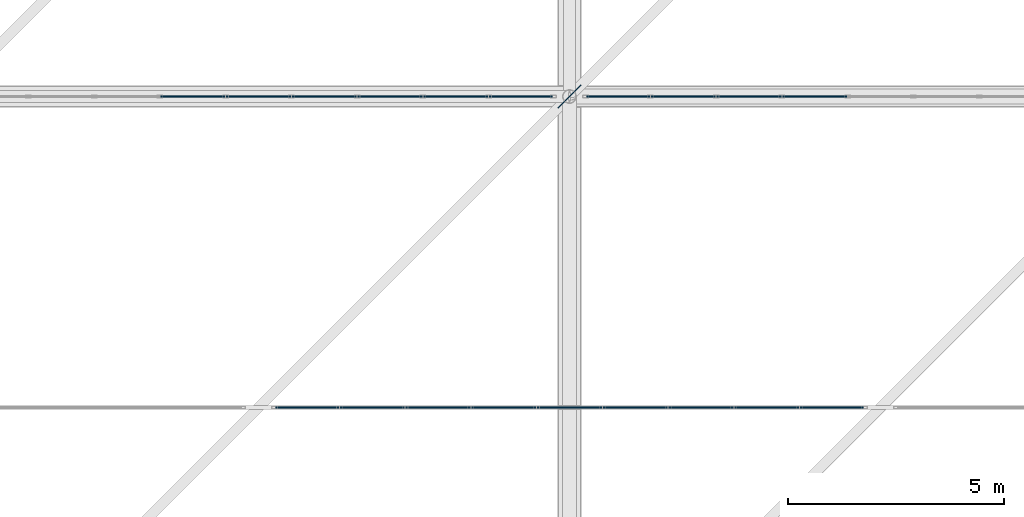
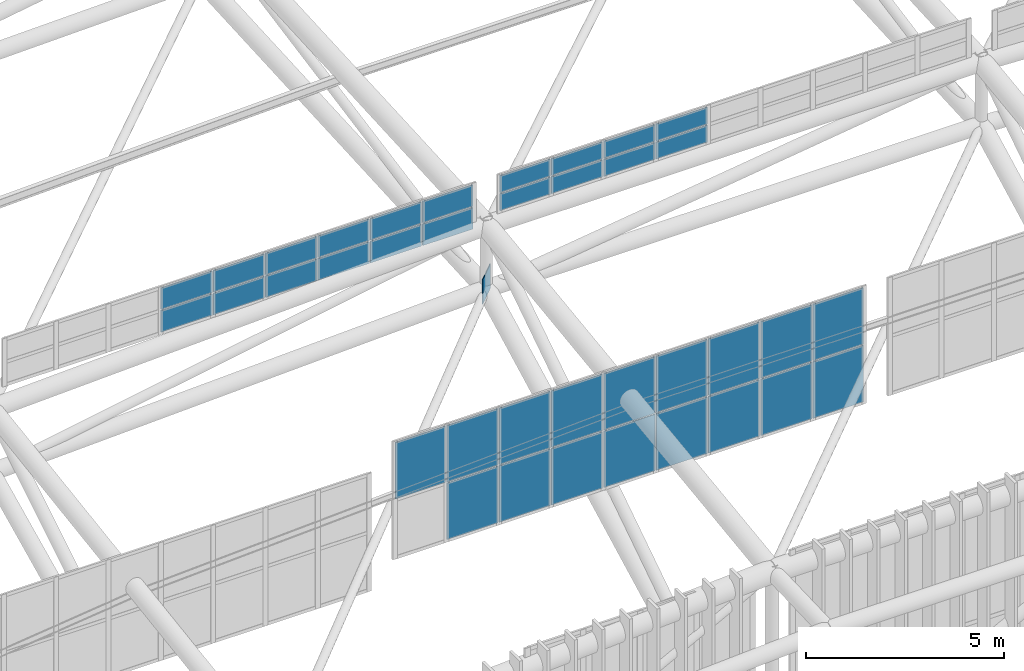
# One storey, part 361 of 397: 38 plates, 3 elements without a shape of their own.
"""IFC4 building model written with IfcOpenShell, lengths in metres."""

from ifc_helpers import new_model, si_unit, direction, frame, origin, origin_2d, place, context, subcontext, project, spatial, rectangle, extrude, material, layer, layer_set, type_object, element, aggregate, save


model = new_model("IFC4")

# Units and contexts
model_context = context("Model", 3, precision=1e-05, world=origin(), true_north=direction((0.0, 1.0)))
body_context = subcontext(model_context, "Body", "Model", "MODEL_VIEW")
ifc_project = project(units=[si_unit("LENGTHUNIT", "METRE"), si_unit("AREAUNIT", "SQUARE_METRE"), si_unit("VOLUMEUNIT", "CUBIC_METRE"), si_unit("PLANEANGLEUNIT", "RADIAN"), si_unit("MASSUNIT", "GRAM", prefix="KILO")], contexts=[model_context])

# Site, building, storey
site_placement = place(None, origin())
site = spatial("IfcSite", under=ifc_project, at=site_placement, CompositionType="ELEMENT")
building_placement = place(site_placement, origin())
building = spatial("IfcBuilding", under=site, at=building_placement, Name="Qandorah Velis Arena", CompositionType="ELEMENT")
storey_placement = place(building_placement, frame((0.0, 0.0, 27.5)))
storey = spatial("IfcBuildingStorey", under=building, at=storey_placement, Name="RF", CompositionType="ELEMENT", Elevation=27.5)

# Curtain wall, plates
ifc_material_1 = material(Name="Solar-control low-E double glazing", Category="glass")
curtain_wall_type_1 = type_object("IfcCurtainWallType", Name="ARC-CW-SYS21", PredefinedType="USERDEFINED", material=ifc_material_1)
curtain_wall_1_placement = place(storey_placement, origin())
curtain_wall_1 = element("IfcCurtainWall", 1, at=curtain_wall_1_placement, inside=storey, type_object=curtain_wall_type_1, Name="Unitised curtain wall MON-3-3", ObjectType="UNITISED CURTAIN WALL", PredefinedType="USERDEFINED")
ifc_layer_1 = layer(ifc_material_1, 0.030029296875)
ifc_layer_set_1 = layer_set([ifc_layer_1], Name="Solar-control low-E double glazing")
plate_type_1 = type_object("IfcPlateType", Name="ARC-CWP-GLZ30", PredefinedType="CURTAIN_PANEL", material=ifc_layer_set_1)
plate_1_placement = place(storey_placement, frame((51.52490234375, 21.60009765625, 7.89697265625), z_axis=(0.0, 0.0, 1.0), x_axis=(1.0, 0.0, 0.0)))
plate_1 = element("IfcPlate", 2, at=plate_1_placement, type_object=plate_type_1, Name="CW21 panel 1.2", PredefinedType="CURTAIN_PANEL", context=body_context, shape_type="SweptSolid", body=[
    extrude(rectangle(XDim=1.459716796875, YDim=0.030029296875, at=origin_2d()), origin(), (0.0, 0.0, 1.0), 1.737548828125),
])
plate_2_placement = place(storey_placement, frame((53.033447265625, 21.60009765625, 6.12451171875), z_axis=(0.0, 0.0, 1.0), x_axis=(1.0, 0.0, 0.0)))
plate_2 = element("IfcPlate", 3, at=plate_2_placement, type_object=plate_type_1, Name="CW21 panel 2.1", PredefinedType="CURTAIN_PANEL", context=body_context, shape_type="SweptSolid", body=[
    extrude(rectangle(XDim=1.4873046875, YDim=0.030029296875, at=origin_2d()), origin(), (0.0, 0.0, 1.0), 1.737548828125),
])
plate_3_placement = place(storey_placement, frame((53.033447265625, 21.60009765625, 7.89697265625), z_axis=(0.0, 0.0, 1.0), x_axis=(1.0, 0.0, 0.0)))
plate_3 = element("IfcPlate", 4, at=plate_3_placement, type_object=plate_type_1, Name="CW21 panel 2.2", PredefinedType="CURTAIN_PANEL", context=body_context, shape_type="SweptSolid", body=[
    extrude(rectangle(XDim=1.4873046875, YDim=0.030029296875, at=origin_2d()), origin(), (0.0, 0.0, 1.0), 1.737548828125),
])
plate_4_placement = place(storey_placement, frame((54.5556640625, 21.60009765625, 6.12451171875), z_axis=(0.0, 0.0, 1.0), x_axis=(1.0, 0.0, 0.0)))
plate_4 = element("IfcPlate", 5, at=plate_4_placement, type_object=plate_type_1, Name="CW21 panel 3.1", PredefinedType="CURTAIN_PANEL", context=body_context, shape_type="SweptSolid", body=[
    extrude(rectangle(XDim=1.4873046875, YDim=0.030029296875, at=origin_2d()), origin(), (0.0, 0.0, 1.0), 1.737548828125),
])
plate_5_placement = place(storey_placement, frame((54.5556640625, 21.60009765625, 7.89697265625), z_axis=(0.0, 0.0, 1.0), x_axis=(1.0, 0.0, 0.0)))
plate_5 = element("IfcPlate", 6, at=plate_5_placement, type_object=plate_type_1, Name="CW21 panel 3.2", PredefinedType="CURTAIN_PANEL", context=body_context, shape_type="SweptSolid", body=[
    extrude(rectangle(XDim=1.4873046875, YDim=0.030029296875, at=origin_2d()), origin(), (0.0, 0.0, 1.0), 1.737548828125),
])
plate_6_placement = place(storey_placement, frame((56.077880859375, 21.60009765625, 6.12451171875), z_axis=(0.0, 0.0, 1.0), x_axis=(1.0, 0.0, 0.0)))
plate_6 = element("IfcPlate", 7, at=plate_6_placement, type_object=plate_type_1, Name="CW21 panel 4.1", PredefinedType="CURTAIN_PANEL", context=body_context, shape_type="SweptSolid", body=[
    extrude(rectangle(XDim=1.4873046875, YDim=0.030029296875, at=origin_2d()), origin(), (0.0, 0.0, 1.0), 1.737548828125),
])
plate_7_placement = place(storey_placement, frame((56.077880859375, 21.60009765625, 7.89697265625), z_axis=(0.0, 0.0, 1.0), x_axis=(1.0, 0.0, 0.0)))
plate_7 = element("IfcPlate", 8, at=plate_7_placement, type_object=plate_type_1, Name="CW21 panel 4.2", PredefinedType="CURTAIN_PANEL", context=body_context, shape_type="SweptSolid", body=[
    extrude(rectangle(XDim=1.4873046875, YDim=0.030029296875, at=origin_2d()), origin(), (0.0, 0.0, 1.0), 1.737548828125),
])
plate_8_placement = place(storey_placement, frame((57.60009765625, 21.60009765625, 6.12451171875), z_axis=(0.0, 0.0, 1.0), x_axis=(1.0, 0.0, 0.0)))
plate_8 = element("IfcPlate", 9, at=plate_8_placement, type_object=plate_type_1, Name="CW21 panel 5.1", PredefinedType="CURTAIN_PANEL", context=body_context, shape_type="SweptSolid", body=[
    extrude(rectangle(XDim=1.4873046875, YDim=0.030029296875, at=origin_2d()), origin(), (0.0, 0.0, 1.0), 1.737548828125),
])
plate_9_placement = place(storey_placement, frame((57.60009765625, 21.60009765625, 7.89697265625), z_axis=(0.0, 0.0, 1.0), x_axis=(1.0, 0.0, 0.0)))
plate_9 = element("IfcPlate", 10, at=plate_9_placement, type_object=plate_type_1, Name="CW21 panel 5.2", PredefinedType="CURTAIN_PANEL", context=body_context, shape_type="SweptSolid", body=[
    extrude(rectangle(XDim=1.4873046875, YDim=0.030029296875, at=origin_2d()), origin(), (0.0, 0.0, 1.0), 1.737548828125),
])
plate_10_placement = place(storey_placement, frame((59.122314453125, 21.60009765625, 6.12451171875), z_axis=(0.0, 0.0, 1.0), x_axis=(1.0, 0.0, 0.0)))
plate_10 = element("IfcPlate", 11, at=plate_10_placement, type_object=plate_type_1, Name="CW21 panel 6.1", PredefinedType="CURTAIN_PANEL", context=body_context, shape_type="SweptSolid", body=[
    extrude(rectangle(XDim=1.4873046875, YDim=0.030029296875, at=origin_2d()), origin(), (0.0, 0.0, 1.0), 1.737548828125),
])
plate_11_placement = place(storey_placement, frame((59.122314453125, 21.60009765625, 7.89697265625), z_axis=(0.0, 0.0, 1.0), x_axis=(1.0, 0.0, 0.0)))
plate_11 = element("IfcPlate", 12, at=plate_11_placement, type_object=plate_type_1, Name="CW21 panel 6.2", PredefinedType="CURTAIN_PANEL", context=body_context, shape_type="SweptSolid", body=[
    extrude(rectangle(XDim=1.4873046875, YDim=0.030029296875, at=origin_2d()), origin(), (0.0, 0.0, 1.0), 1.737548828125),
])
plate_12_placement = place(storey_placement, frame((60.64453125, 21.60009765625, 6.12451171875), z_axis=(0.0, 0.0, 1.0), x_axis=(1.0, 0.0, 0.0)))
plate_12 = element("IfcPlate", 13, at=plate_12_placement, type_object=plate_type_1, Name="CW21 panel 7.1", PredefinedType="CURTAIN_PANEL", context=body_context, shape_type="SweptSolid", body=[
    extrude(rectangle(XDim=1.4873046875, YDim=0.030029296875, at=origin_2d()), origin(), (0.0, 0.0, 1.0), 1.737548828125),
])
plate_13_placement = place(storey_placement, frame((60.64453125, 21.60009765625, 7.89697265625), z_axis=(0.0, 0.0, 1.0), x_axis=(1.0, 0.0, 0.0)))
plate_13 = element("IfcPlate", 14, at=plate_13_placement, type_object=plate_type_1, Name="CW21 panel 7.2", PredefinedType="CURTAIN_PANEL", context=body_context, shape_type="SweptSolid", body=[
    extrude(rectangle(XDim=1.4873046875, YDim=0.030029296875, at=origin_2d()), origin(), (0.0, 0.0, 1.0), 1.737548828125),
])
plate_14_placement = place(storey_placement, frame((62.166748046875, 21.60009765625, 6.12451171875), z_axis=(0.0, 0.0, 1.0), x_axis=(1.0, 0.0, 0.0)))
plate_14 = element("IfcPlate", 15, at=plate_14_placement, type_object=plate_type_1, Name="CW21 panel 8.1", PredefinedType="CURTAIN_PANEL", context=body_context, shape_type="SweptSolid", body=[
    extrude(rectangle(XDim=1.4873046875, YDim=0.030029296875, at=origin_2d()), origin(), (0.0, 0.0, 1.0), 1.737548828125),
])
plate_15_placement = place(storey_placement, frame((62.166748046875, 21.60009765625, 7.89697265625), z_axis=(0.0, 0.0, 1.0), x_axis=(1.0, 0.0, 0.0)))
plate_15 = element("IfcPlate", 16, at=plate_15_placement, type_object=plate_type_1, Name="CW21 panel 8.2", PredefinedType="CURTAIN_PANEL", context=body_context, shape_type="SweptSolid", body=[
    extrude(rectangle(XDim=1.4873046875, YDim=0.030029296875, at=origin_2d()), origin(), (0.0, 0.0, 1.0), 1.737548828125),
])
plate_16_placement = place(storey_placement, frame((63.675048828125, 21.60009765625, 6.12451171875), z_axis=(0.0, 0.0, 1.0), x_axis=(1.0, 0.0, 0.0)))
plate_16 = element("IfcPlate", 17, at=plate_16_placement, type_object=plate_type_1, Name="CW21 panel 9.1", PredefinedType="CURTAIN_PANEL", context=body_context, shape_type="SweptSolid", body=[
    extrude(rectangle(XDim=1.459716796875, YDim=0.030029296875, at=origin_2d()), origin(), (0.0, 0.0, 1.0), 1.737548828125),
])
plate_17_placement = place(storey_placement, frame((63.675048828125, 21.60009765625, 7.89697265625), z_axis=(0.0, 0.0, 1.0), x_axis=(1.0, 0.0, 0.0)))
plate_17 = element("IfcPlate", 18, at=plate_17_placement, type_object=plate_type_1, Name="CW21 panel 9.2", PredefinedType="CURTAIN_PANEL", context=body_context, shape_type="SweptSolid", body=[
    extrude(rectangle(XDim=1.459716796875, YDim=0.030029296875, at=origin_2d()), origin(), (0.0, 0.0, 1.0), 1.737548828125),
])
aggregate(curtain_wall_1, [plate_1, plate_2, plate_3, plate_4, plate_5, plate_6, plate_7, plate_8, plate_9, plate_10, plate_11, plate_12, plate_13, plate_14, plate_15, plate_16, plate_17])

curtain_wall_type_2 = type_object("IfcCurtainWallType", Name="ARC-CW-SYS17", PredefinedType="USERDEFINED", material=ifc_material_1)
curtain_wall_2_placement = place(storey_placement, origin())
curtain_wall_2 = element("IfcCurtainWall", 19, at=curtain_wall_2_placement, inside=storey, type_object=curtain_wall_type_2, Name="Unitised curtain wall OCULUS-3-2", ObjectType="UNITISED CURTAIN WALL", PredefinedType="USERDEFINED")
plate_18_placement = place(storey_placement, frame((48.877685546875, 28.800048828125, 9.593994140625), z_axis=(0.0, 0.0, 1.0), x_axis=(1.0, 0.0, 0.0)))
plate_18 = element("IfcPlate", 20, at=plate_18_placement, type_object=plate_type_1, Name="CW17 panel 4.1", PredefinedType="CURTAIN_PANEL", context=body_context, shape_type="SweptSolid", body=[
    extrude(rectangle(XDim=1.4873046875, YDim=0.030029296875, at=origin_2d()), origin(), (0.0, 0.0, 1.0), 0.6630859375),
])
plate_19_placement = place(storey_placement, frame((48.877685546875, 28.800048828125, 10.2919921875), z_axis=(0.0, 0.0, 1.0), x_axis=(1.0, 0.0, 0.0)))
plate_19 = element("IfcPlate", 21, at=plate_19_placement, type_object=plate_type_1, Name="CW17 panel 4.2", PredefinedType="CURTAIN_PANEL", context=body_context, shape_type="SweptSolid", body=[
    extrude(rectangle(XDim=1.4873046875, YDim=0.030029296875, at=origin_2d()), origin(), (0.0, 0.0, 1.0), 0.662841796875),
])
plate_20_placement = place(storey_placement, frame((50.39990234375, 28.800048828125, 9.593994140625), z_axis=(0.0, 0.0, 1.0), x_axis=(1.0, 0.0, 0.0)))
plate_20 = element("IfcPlate", 22, at=plate_20_placement, type_object=plate_type_1, Name="CW17 panel 5.1", PredefinedType="CURTAIN_PANEL", context=body_context, shape_type="SweptSolid", body=[
    extrude(rectangle(XDim=1.4873046875, YDim=0.030029296875, at=origin_2d()), origin(), (0.0, 0.0, 1.0), 0.6630859375),
])
plate_21_placement = place(storey_placement, frame((50.39990234375, 28.800048828125, 10.2919921875), z_axis=(0.0, 0.0, 1.0), x_axis=(1.0, 0.0, 0.0)))
plate_21 = element("IfcPlate", 23, at=plate_21_placement, type_object=plate_type_1, Name="CW17 panel 5.2", PredefinedType="CURTAIN_PANEL", context=body_context, shape_type="SweptSolid", body=[
    extrude(rectangle(XDim=1.4873046875, YDim=0.030029296875, at=origin_2d()), origin(), (0.0, 0.0, 1.0), 0.662841796875),
])
plate_22_placement = place(storey_placement, frame((51.922119140625, 28.800048828125, 9.593994140625), z_axis=(0.0, 0.0, 1.0), x_axis=(1.0, 0.0, 0.0)))
plate_22 = element("IfcPlate", 24, at=plate_22_placement, type_object=plate_type_1, Name="CW17 panel 6.1", PredefinedType="CURTAIN_PANEL", context=body_context, shape_type="SweptSolid", body=[
    extrude(rectangle(XDim=1.4873046875, YDim=0.030029296875, at=origin_2d()), origin(), (0.0, 0.0, 1.0), 0.6630859375),
])
plate_23_placement = place(storey_placement, frame((51.922119140625, 28.800048828125, 10.2919921875), z_axis=(0.0, 0.0, 1.0), x_axis=(1.0, 0.0, 0.0)))
plate_23 = element("IfcPlate", 25, at=plate_23_placement, type_object=plate_type_1, Name="CW17 panel 6.2", PredefinedType="CURTAIN_PANEL", context=body_context, shape_type="SweptSolid", body=[
    extrude(rectangle(XDim=1.4873046875, YDim=0.030029296875, at=origin_2d()), origin(), (0.0, 0.0, 1.0), 0.662841796875),
])
plate_24_placement = place(storey_placement, frame((53.4443359375, 28.800048828125, 9.593994140625), z_axis=(0.0, 0.0, 1.0), x_axis=(1.0, 0.0, 0.0)))
plate_24 = element("IfcPlate", 26, at=plate_24_placement, type_object=plate_type_1, Name="CW17 panel 7.1", PredefinedType="CURTAIN_PANEL", context=body_context, shape_type="SweptSolid", body=[
    extrude(rectangle(XDim=1.4873046875, YDim=0.030029296875, at=origin_2d()), origin(), (0.0, 0.0, 1.0), 0.6630859375),
])
plate_25_placement = place(storey_placement, frame((53.4443359375, 28.800048828125, 10.2919921875), z_axis=(0.0, 0.0, 1.0), x_axis=(1.0, 0.0, 0.0)))
plate_25 = element("IfcPlate", 27, at=plate_25_placement, type_object=plate_type_1, Name="CW17 panel 7.2", PredefinedType="CURTAIN_PANEL", context=body_context, shape_type="SweptSolid", body=[
    extrude(rectangle(XDim=1.4873046875, YDim=0.030029296875, at=origin_2d()), origin(), (0.0, 0.0, 1.0), 0.662841796875),
])
plate_26_placement = place(storey_placement, frame((54.966552734375, 28.800048828125, 9.593994140625), z_axis=(0.0, 0.0, 1.0), x_axis=(1.0, 0.0, 0.0)))
plate_26 = element("IfcPlate", 28, at=plate_26_placement, type_object=plate_type_1, Name="CW17 panel 8.1", PredefinedType="CURTAIN_PANEL", context=body_context, shape_type="SweptSolid", body=[
    extrude(rectangle(XDim=1.4873046875, YDim=0.030029296875, at=origin_2d()), origin(), (0.0, 0.0, 1.0), 0.6630859375),
])
plate_27_placement = place(storey_placement, frame((54.966552734375, 28.800048828125, 10.2919921875), z_axis=(0.0, 0.0, 1.0), x_axis=(1.0, 0.0, 0.0)))
plate_27 = element("IfcPlate", 29, at=plate_27_placement, type_object=plate_type_1, Name="CW17 panel 8.2", PredefinedType="CURTAIN_PANEL", context=body_context, shape_type="SweptSolid", body=[
    extrude(rectangle(XDim=1.4873046875, YDim=0.030029296875, at=origin_2d()), origin(), (0.0, 0.0, 1.0), 0.662841796875),
])
plate_28_placement = place(storey_placement, frame((56.47509765625, 28.800048828125, 9.593994140625), z_axis=(0.0, 0.0, 1.0), x_axis=(1.0, 0.0, 0.0)))
plate_28 = element("IfcPlate", 30, at=plate_28_placement, type_object=plate_type_1, Name="CW17 panel 9.1", PredefinedType="CURTAIN_PANEL", context=body_context, shape_type="SweptSolid", body=[
    extrude(rectangle(XDim=1.459716796875, YDim=0.030029296875, at=origin_2d()), origin(), (0.0, 0.0, 1.0), 0.6630859375),
])
plate_29_placement = place(storey_placement, frame((56.47509765625, 28.800048828125, 10.2919921875), z_axis=(0.0, 0.0, 1.0), x_axis=(1.0, 0.0, 0.0)))
plate_29 = element("IfcPlate", 31, at=plate_29_placement, type_object=plate_type_1, Name="CW17 panel 9.2", PredefinedType="CURTAIN_PANEL", context=body_context, shape_type="SweptSolid", body=[
    extrude(rectangle(XDim=1.459716796875, YDim=0.030029296875, at=origin_2d()), origin(), (0.0, 0.0, 1.0), 0.662841796875),
])
aggregate(curtain_wall_2, [plate_18, plate_19, plate_20, plate_21, plate_22, plate_23, plate_24, plate_25, plate_26, plate_27, plate_28, plate_29])

curtain_wall_type_3 = type_object("IfcCurtainWallType", Name="ARC-CW-SYS18", PredefinedType="USERDEFINED", material=ifc_material_1)
curtain_wall_3_placement = place(storey_placement, origin())
curtain_wall_3 = element("IfcCurtainWall", 32, at=curtain_wall_3_placement, inside=storey, type_object=curtain_wall_type_3, Name="Unitised curtain wall OCULUS-3-3", ObjectType="UNITISED CURTAIN WALL", PredefinedType="USERDEFINED")
plate_30_placement = place(storey_placement, frame((58.724853515625, 28.800048828125, 9.87646484375), z_axis=(0.0, 0.0, 1.0), x_axis=(1.0, 0.0, 0.0)))
plate_30 = element("IfcPlate", 33, at=plate_30_placement, type_object=plate_type_1, Name="CW18 panel 1.1", PredefinedType="CURTAIN_PANEL", context=body_context, shape_type="SweptSolid", body=[
    extrude(rectangle(XDim=1.459716796875, YDim=0.030029296875, at=origin_2d()), origin(), (0.0, 0.0, 1.0), 0.521728515625),
])
plate_31_placement = place(storey_placement, frame((58.724853515625, 28.800048828125, 10.43310546875), z_axis=(0.0, 0.0, 1.0), x_axis=(1.0, 0.0, 0.0)))
plate_31 = element("IfcPlate", 34, at=plate_31_placement, type_object=plate_type_1, Name="CW18 panel 1.2", PredefinedType="CURTAIN_PANEL", context=body_context, shape_type="SweptSolid", body=[
    extrude(rectangle(XDim=1.459716796875, YDim=0.030029296875, at=origin_2d()), origin(), (0.0, 0.0, 1.0), 0.521728515625),
])
plate_32_placement = place(storey_placement, frame((60.2333984375, 28.800048828125, 9.87646484375), z_axis=(0.0, 0.0, 1.0), x_axis=(1.0, 0.0, 0.0)))
plate_32 = element("IfcPlate", 35, at=plate_32_placement, type_object=plate_type_1, Name="CW18 panel 2.1", PredefinedType="CURTAIN_PANEL", context=body_context, shape_type="SweptSolid", body=[
    extrude(rectangle(XDim=1.4873046875, YDim=0.030029296875, at=origin_2d()), origin(), (0.0, 0.0, 1.0), 0.521728515625),
])
plate_33_placement = place(storey_placement, frame((60.2333984375, 28.800048828125, 10.43310546875), z_axis=(0.0, 0.0, 1.0), x_axis=(1.0, 0.0, 0.0)))
plate_33 = element("IfcPlate", 36, at=plate_33_placement, type_object=plate_type_1, Name="CW18 panel 2.2", PredefinedType="CURTAIN_PANEL", context=body_context, shape_type="SweptSolid", body=[
    extrude(rectangle(XDim=1.4873046875, YDim=0.030029296875, at=origin_2d()), origin(), (0.0, 0.0, 1.0), 0.521728515625),
])
plate_34_placement = place(storey_placement, frame((61.755615234375, 28.800048828125, 9.87646484375), z_axis=(0.0, 0.0, 1.0), x_axis=(1.0, 0.0, 0.0)))
plate_34 = element("IfcPlate", 37, at=plate_34_placement, type_object=plate_type_1, Name="CW18 panel 3.1", PredefinedType="CURTAIN_PANEL", context=body_context, shape_type="SweptSolid", body=[
    extrude(rectangle(XDim=1.4873046875, YDim=0.030029296875, at=origin_2d()), origin(), (0.0, 0.0, 1.0), 0.521728515625),
])
plate_35_placement = place(storey_placement, frame((61.755615234375, 28.800048828125, 10.43310546875), z_axis=(0.0, 0.0, 1.0), x_axis=(1.0, 0.0, 0.0)))
plate_35 = element("IfcPlate", 38, at=plate_35_placement, type_object=plate_type_1, Name="CW18 panel 3.2", PredefinedType="CURTAIN_PANEL", context=body_context, shape_type="SweptSolid", body=[
    extrude(rectangle(XDim=1.4873046875, YDim=0.030029296875, at=origin_2d()), origin(), (0.0, 0.0, 1.0), 0.521728515625),
])
plate_36_placement = place(storey_placement, frame((63.27783203125, 28.800048828125, 9.87646484375), z_axis=(0.0, 0.0, 1.0), x_axis=(1.0, 0.0, 0.0)))
plate_36 = element("IfcPlate", 39, at=plate_36_placement, type_object=plate_type_1, Name="CW18 panel 4.1", PredefinedType="CURTAIN_PANEL", context=body_context, shape_type="SweptSolid", body=[
    extrude(rectangle(XDim=1.4873046875, YDim=0.030029296875, at=origin_2d()), origin(), (0.0, 0.0, 1.0), 0.521728515625),
])
plate_37_placement = place(storey_placement, frame((63.27783203125, 28.800048828125, 10.43310546875), z_axis=(0.0, 0.0, 1.0), x_axis=(1.0, 0.0, 0.0)))
plate_37 = element("IfcPlate", 40, at=plate_37_placement, type_object=plate_type_1, Name="CW18 panel 4.2", PredefinedType="CURTAIN_PANEL", context=body_context, shape_type="SweptSolid", body=[
    extrude(rectangle(XDim=1.4873046875, YDim=0.030029296875, at=origin_2d()), origin(), (0.0, 0.0, 1.0), 0.521728515625),
])
aggregate(curtain_wall_3, [plate_30, plate_31, plate_32, plate_33, plate_34, plate_35, plate_36, plate_37])

# Plate
ifc_material_2 = material(Name="Steel S355", Category="steel")
ifc_layer_2 = layer(ifc_material_2, 0.02490234375)
ifc_layer_set_2 = layer_set([ifc_layer_2], Name="Steel S355")
plate_type_2 = type_object("IfcPlateType", Name="STR-PLT-GUS25", PredefinedType="SHEET", material=ifc_layer_set_2)
plate_38_placement = place(storey_placement, frame((57.60009765625, 28.800048828125, 7.38818359375), z_axis=(0.0, 0.0, 1.0), x_axis=(0.707106781187, 0.707106781187, 0.0)))
element("IfcPlate", 41, at=plate_38_placement, inside=storey, type_object=plate_type_2, Name="Space frame gusset plate 3.1", PredefinedType="SHEET", context=body_context, shape_type="SweptSolid", body=[
    extrude(rectangle(XDim=0.75, YDim=0.02490234375, at=origin_2d()), origin(), (0.0, 0.0, 1.0), 0.75),
])

save(model, "model.ifc")
